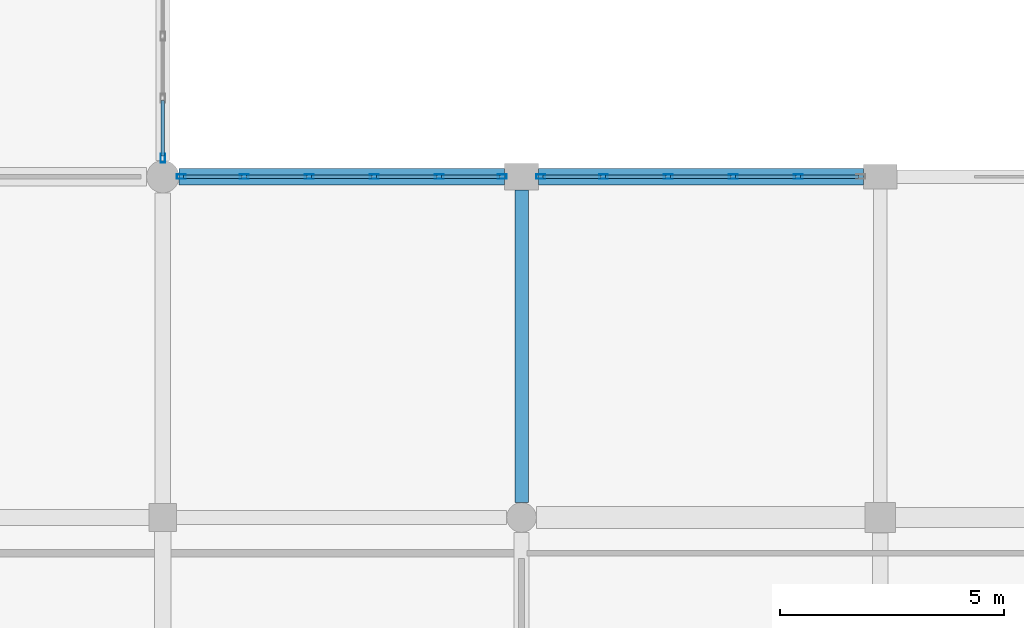
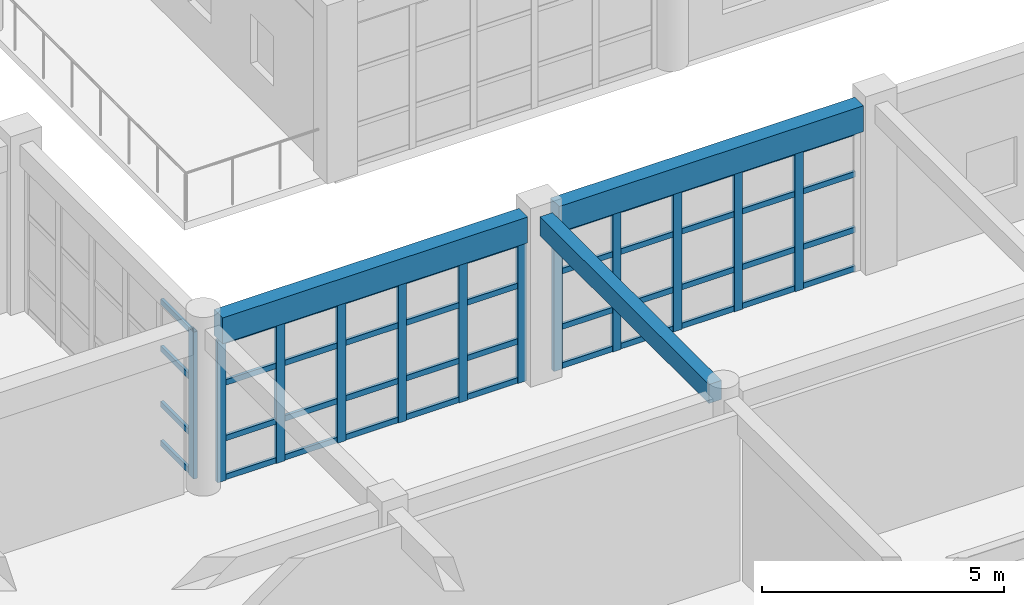
# One storey, part 85 of 160: 56 members, 3 beams, 3 elements without a shape of their own.
"""IFC4 building model written with IfcOpenShell, lengths in metres."""

import ifcopenshell
import ifcopenshell.guid

model = None  # the IFC model being written
_history = None  # IfcOwnerHistory: only IFC2X3 demands one
_inside = {}  # id of a spatial element -> (the spatial element, [elements in it])
_under = {}  # id of a project, library or spatial element -> (it, [spatial elements below it])
_declared = {}  # id of a project -> (the project, [libraries it declares])
_typed = {}  # id of a type object -> (the type object, [elements of that type])
_made_of = {}  # id of a material, layer set ... -> (it, [elements and type objects made of it])


def new_model(schema):
    """Start an empty IFC model of exactly this schema.

    Asked for "IFC4X3", IfcOpenShell would pick the latest addendum, in which some entities
    have other attributes; the version numbers below select the first issue.
    IFC2X3 requires an IfcOwnerHistory on every rooted entity: one is made here for all.
    """
    global model, _history
    if schema == "IFC4X3":
        model = ifcopenshell.file(schema_version=(4, 3, 0, 0))
    else:
        model = ifcopenshell.file(schema=schema)
    _inside.clear()
    _under.clear()
    _declared.clear()
    _typed.clear()
    _made_of.clear()
    _history = None
    if model.schema == "IFC2X3":
        org = make("IfcOrganization", Name="unknown")
        user = make(
            "IfcPersonAndOrganization",
            ThePerson=make("IfcPerson", FamilyName="unknown"),
            TheOrganization=org,
        )
        app = make(
            "IfcApplication",
            ApplicationDeveloper=org,
            Version="unknown",
            ApplicationFullName="unknown",
            ApplicationIdentifier="unknown",
        )
        _history = make(
            "IfcOwnerHistory",
            OwningUser=user,
            OwningApplication=app,
            ChangeAction="ADDED",
            CreationDate=0,
        )
    return model


def make(cls, **values):
    """One entity of the class cls with the attributes given. An attribute that is None is left unset."""
    return model.create_entity(
        cls, **{name: value for name, value in values.items() if value is not None}
    )


def rooted(cls, **values):
    """An entity with a GlobalId (a new one), such as an element, a storey or a relation."""
    return make(cls, GlobalId=ifcopenshell.guid.new(), OwnerHistory=_history, **values)


def si_unit(unit_type, name, prefix=None):
    """IfcSIUnit, for example si_unit("LENGTHUNIT", "METRE", prefix="MILLI")."""
    return make("IfcSIUnit", UnitType=unit_type, Prefix=prefix, Name=name)


def assignment(units):
    """IfcUnitAssignment: the units of a project."""
    return None if units is None else make("IfcUnitAssignment", Units=units)


def point(xyz):
    """IfcCartesianPoint."""
    return None if xyz is None else make("IfcCartesianPoint", Coordinates=xyz)


def direction(xyz):
    """IfcDirection."""
    return None if xyz is None else make("IfcDirection", DirectionRatios=xyz)


def frame(location, z_axis=None, x_axis=None):
    """IfcAxis2Placement3D, a coordinate frame: its origin and axes. An axis left out is left unset."""
    return make(
        "IfcAxis2Placement3D",
        Location=point(location),
        Axis=direction(z_axis),
        RefDirection=direction(x_axis),
    )


def frame_2d(location, x_axis=None):
    """IfcAxis2Placement2D, a coordinate frame in the plane: its origin and x axis."""
    return make(
        "IfcAxis2Placement2D", Location=point(location), RefDirection=direction(x_axis)
    )


def origin():
    """The frame at (0, 0, 0) with its axes left unset."""
    return frame((0.0, 0.0, 0.0))


def origin_2d():
    """The frame at (0, 0) in the plane with its x axis left unset."""
    return frame_2d((0.0, 0.0))


def place(relative_to, where):
    """IfcLocalPlacement: puts the frame where relative to a parent placement (None: the world)."""
    return make(
        "IfcLocalPlacement", PlacementRelTo=relative_to, RelativePlacement=where
    )


def context(
    kind, dimensions, precision=None, world=None, true_north=None, identifier=None
):
    """IfcGeometricRepresentationContext, for example the 3D "Model" context."""
    return make(
        "IfcGeometricRepresentationContext",
        ContextIdentifier=identifier,
        ContextType=kind,
        CoordinateSpaceDimension=dimensions,
        Precision=precision,
        WorldCoordinateSystem=world,
        TrueNorth=true_north,
    )


def subcontext(parent, identifier, kind, view, scale=None):
    """IfcGeometricRepresentationSubContext, for example "Body" below "Model"."""
    return make(
        "IfcGeometricRepresentationSubContext",
        ContextIdentifier=identifier,
        ContextType=kind,
        ParentContext=parent,
        TargetScale=scale,
        TargetView=view,
    )


def project(units=None, contexts=None):
    """IfcProject with its units and contexts."""
    return rooted(
        "IfcProject",
        Name="project",
        RepresentationContexts=contexts,
        UnitsInContext=assignment(units),
    )


def spatial(cls, under=None, at=None, **own):
    """A site, building, storey or space (cls), placed at a placement, below another one or the project."""
    s = rooted(cls, ObjectPlacement=at, **own)
    if under is not None:
        _under.setdefault(under.id(), (under, []))[1].append(s)
    return s


def profile(cls, at=None, kind="AREA", **sizes):
    """A parametric profile (cls). Its sizes go by their IFC names, for example OverallWidth=200.0."""
    return make(cls, ProfileType=kind, Position=at, **sizes)


def rectangle(**sizes):
    """IfcRectangleProfileDef."""
    return profile("IfcRectangleProfileDef", **sizes)


def hollow_rectangle(**sizes):
    """IfcRectangleHollowProfileDef."""
    return profile("IfcRectangleHollowProfileDef", **sizes)


def extrude(swept, where, along, depth):
    """IfcExtrudedAreaSolid: the profile swept, set in the frame where, extruded along a direction by depth."""
    return make(
        "IfcExtrudedAreaSolid",
        SweptArea=swept,
        Position=where,
        ExtrudedDirection=direction(along),
        Depth=depth,
    )


def shape(context_of_items, identifier, shape_type, items):
    """IfcShapeRepresentation: the items that make up one representation, for example the "Body"."""
    return make(
        "IfcShapeRepresentation",
        ContextOfItems=context_of_items,
        RepresentationIdentifier=identifier,
        RepresentationType=shape_type,
        Items=items,
    )


def material(Name=None, Category=None):
    """IfcMaterial."""
    return make("IfcMaterial", Name=Name, Category=Category)


def material_profile(
    of_material, cross_section, Name=None, Category=None, Priority=None
):
    """IfcMaterialProfile: a cross section and its material."""
    return make(
        "IfcMaterialProfile",
        Name=Name,
        Material=of_material,
        Profile=cross_section,
        Priority=Priority,
        Category=Category,
    )


def profile_set(profiles, Name=None, composite=None):
    """IfcMaterialProfileSet."""
    return make(
        "IfcMaterialProfileSet",
        Name=Name,
        MaterialProfiles=profiles,
        CompositeProfile=composite,
    )


def made_of(thing, what):
    """Note that an element or type object is made of a material, layer set ...; save() writes the relation."""
    if what is not None:
        _made_of.setdefault(what.id(), (what, []))[1].append(thing)
    return thing


def type_object(cls, material=None, **own):
    """A type object (cls), such as IfcWallType, which elements share."""
    return made_of(rooted(cls, **own), material)


def element(
    cls,
    number,
    at=None,
    inside=None,
    cuts=None,
    type_object=None,
    material=None,
    context=None,
    identifier="Body",
    shape_type=None,
    held_by="IfcProductDefinitionShape",
    body=None,
    shapes=None,
    **own,
):
    """One element of the class cls, such as IfcWall. Its Tag is "e" and its number.

    at: its placement. inside: the storey or other place that contains it. cuts: it is an
    opening in that element (IfcRelVoidsElement). A single representation is given by context,
    identifier, shape_type and body (its items); several are given by shapes. held_by: the class
    of the entity that holds the representations. save() writes the other relations.
    """
    e = rooted(cls, Tag="e%d" % number, ObjectPlacement=at, **own)
    if body is not None:
        shapes = [shape(context, identifier, shape_type, body)]
    if shapes is not None:
        e.Representation = make(held_by, Representations=shapes)
    if inside is not None:
        _inside.setdefault(inside.id(), (inside, []))[1].append(e)
    if cuts is not None:
        rooted(
            "IfcRelVoidsElement", RelatingBuildingElement=cuts, RelatedOpeningElement=e
        )
    if type_object is not None:
        _typed.setdefault(type_object.id(), (type_object, []))[1].append(e)
    return made_of(e, material)


def aggregate(whole, parts):
    """IfcRelAggregates: a whole, such as a stair, and the parts it consists of."""
    return rooted("IfcRelAggregates", RelatingObject=whole, RelatedObjects=parts)


def save(model, path):
    """Write the relations noted so far, then the file.

    IfcRelAggregates (storeys below a building ...), IfcRelContainedInSpatialStructure (elements
    in a storey), IfcRelDefinesByType, IfcRelAssociatesMaterial and IfcRelDeclares: one each for
    every whole, place, type object, material and project.
    """
    for whole, parts in _under.values():
        aggregate(whole, parts)
    for where, things in _inside.values():
        rooted(
            "IfcRelContainedInSpatialStructure",
            RelatedElements=things,
            RelatingStructure=where,
        )
    for kind, things in _typed.values():
        rooted("IfcRelDefinesByType", RelatedObjects=things, RelatingType=kind)
    for what, things in _made_of.values():
        rooted("IfcRelAssociatesMaterial", RelatedObjects=things, RelatingMaterial=what)
    for by, libraries in _declared.values():
        rooted("IfcRelDeclares", RelatingContext=by, RelatedDefinitions=libraries)
    model.write(path)


model = new_model("IFC4")

# Units and contexts
model_context = context("Model", 3, precision=1e-05, world=origin(), true_north=direction((0.0, 1.0)))
body_context = subcontext(model_context, "Body", "Model", "MODEL_VIEW")
ifc_project = project(units=[si_unit("LENGTHUNIT", "METRE"), si_unit("AREAUNIT", "SQUARE_METRE"), si_unit("VOLUMEUNIT", "CUBIC_METRE"), si_unit("PLANEANGLEUNIT", "RADIAN"), si_unit("MASSUNIT", "GRAM", prefix="KILO")], contexts=[model_context])

# Site, building, storey
site_placement = place(None, origin())
site = spatial("IfcSite", under=ifc_project, at=site_placement, CompositionType="ELEMENT")
building_placement = place(site_placement, origin())
building = spatial("IfcBuilding", under=site, at=building_placement, Name="Kharva Crest Polytechnic", CompositionType="ELEMENT")
storey_placement = place(building_placement, frame((0.0, 0.0, 4.5)))
storey = spatial("IfcBuildingStorey", under=building, at=storey_placement, Name="L01", CompositionType="ELEMENT", Elevation=4.5)

# Beam
ifc_material_1 = material(Name="Concrete C35/45", Category="concrete")
ifc_material_profile_1 = material_profile(ifc_material_1, rectangle(XDim=0.300048828125, YDim=0.47998046875, at=origin_2d()), Name="RECT 300 X 480")
ifc_profile_set_1 = profile_set([ifc_material_profile_1], Name="Concrete C35/45")
beam_type_1 = type_object("IfcBeamType", Name="BM-RC-300X480", PredefinedType="BEAM", material=ifc_profile_set_1)
beam_1_placement = place(storey_placement, frame((152.800048828125, 23.1298828125, 3.97998046875), z_axis=(0.0, 1.0, 0.0), x_axis=(-1.0, 0.0, 0.0)))
element("IfcBeam", 1, at=beam_1_placement, inside=storey, type_object=beam_type_1, Name="L01 Girder 20/D-E", PredefinedType="BEAM", context=body_context, shape_type="SweptSolid", body=[
    extrude(rectangle(XDim=0.300048828125, YDim=0.47998046875, at=origin_2d()), origin(), (0.0, 0.0, 1.0), 6.97021484375),
])

# Curtain wall, member
ifc_material_2 = material(Name="Tempered insulated glass", Category="glass")
curtain_wall_type = type_object("IfcCurtainWallType", Name="CW-SYS-REFECTORY", PredefinedType="USERDEFINED", material=ifc_material_2)
curtain_wall_1_placement = place(storey_placement, origin())
curtain_wall_1 = element("IfcCurtainWall", 2, at=curtain_wall_1_placement, inside=storey, type_object=curtain_wall_type, Name="L01 Glazed Curtain Wall CW-041", ObjectType="CURTAIN WALL", PredefinedType="USERDEFINED")
ifc_material_3 = material(Name="Steel S355", Category="steel")
ifc_material_profile_2 = material_profile(ifc_material_3, hollow_rectangle(XDim=0.10009765625, YDim=0.199951171875, WallThickness=0.00634765625, at=origin_2d()), Name="RHS 200X100X6.3")
ifc_profile_set_2 = profile_set([ifc_material_profile_2], Name="Steel S355")
member_type_1 = type_object("IfcMemberType", Name="CWM-RHS200X100", PredefinedType="MULLION", material=ifc_profile_set_2)
member_1_placement = place(storey_placement, frame((144.800048828125, 30.81494140625, 0.0), z_axis=(0.0, 0.0, 1.0), x_axis=(-1.0, 0.0, 0.0)))
member_1 = element("IfcMember", 3, at=member_1_placement, type_object=member_type_1, Name="CW-041 mullion 1", PredefinedType="MULLION", context=body_context, shape_type="SweptSolid", body=[
    extrude(hollow_rectangle(XDim=0.10009765625, YDim=0.199951171875, WallThickness=0.00634765625, at=origin_2d()), origin(), (0.0, 0.0, 1.0), 3.699951171875),
])

# Curtain wall, members
curtain_wall_2_placement = place(storey_placement, origin())
curtain_wall_2 = element("IfcCurtainWall", 4, at=curtain_wall_2_placement, inside=storey, type_object=curtain_wall_type, Name="L01 Glazed Curtain Wall CW-051", ObjectType="CURTAIN WALL", PredefinedType="USERDEFINED")
member_2_placement = place(storey_placement, frame((158.971923828125, 30.39990234375, 0.0), z_axis=(0.0, 0.0, 1.0), x_axis=(0.0, -1.0, 0.0)))
member_2 = element("IfcMember", 5, at=member_2_placement, type_object=member_type_1, Name="CW-051 mullion 2", PredefinedType="MULLION", context=body_context, shape_type="SweptSolid", body=[
    extrude(hollow_rectangle(XDim=0.10009765625, YDim=0.199951171875, WallThickness=0.00634765625, at=origin_2d()), origin(), (0.0, 0.0, 1.0), 3.570068359375),
])
member_3_placement = place(storey_placement, frame((157.52392578125, 30.39990234375, 0.0), z_axis=(0.0, 0.0, 1.0), x_axis=(0.0, -1.0, 0.0)))
member_3 = element("IfcMember", 6, at=member_3_placement, type_object=member_type_1, Name="CW-051 mullion 3", PredefinedType="MULLION", context=body_context, shape_type="SweptSolid", body=[
    extrude(hollow_rectangle(XDim=0.10009765625, YDim=0.199951171875, WallThickness=0.00634765625, at=origin_2d()), origin(), (0.0, 0.0, 1.0), 3.570068359375),
])
member_4_placement = place(storey_placement, frame((156.075927734375, 30.39990234375, 0.0), z_axis=(0.0, 0.0, 1.0), x_axis=(0.0, -1.0, 0.0)))
member_4 = element("IfcMember", 7, at=member_4_placement, type_object=member_type_1, Name="CW-051 mullion 4", PredefinedType="MULLION", context=body_context, shape_type="SweptSolid", body=[
    extrude(hollow_rectangle(XDim=0.10009765625, YDim=0.199951171875, WallThickness=0.00634765625, at=origin_2d()), origin(), (0.0, 0.0, 1.0), 3.570068359375),
])
member_5_placement = place(storey_placement, frame((154.6279296875, 30.39990234375, 0.0), z_axis=(0.0, 0.0, 1.0), x_axis=(0.0, -1.0, 0.0)))
member_5 = element("IfcMember", 8, at=member_5_placement, type_object=member_type_1, Name="CW-051 mullion 5", PredefinedType="MULLION", context=body_context, shape_type="SweptSolid", body=[
    extrude(hollow_rectangle(XDim=0.10009765625, YDim=0.199951171875, WallThickness=0.00634765625, at=origin_2d()), origin(), (0.0, 0.0, 1.0), 3.570068359375),
])
member_6_placement = place(storey_placement, frame((153.22998046875, 30.39990234375, 0.0), z_axis=(0.0, 0.0, 1.0), x_axis=(0.0, -1.0, 0.0)))
member_6 = element("IfcMember", 9, at=member_6_placement, type_object=member_type_1, Name="CW-051 mullion 6", PredefinedType="MULLION", context=body_context, shape_type="SweptSolid", body=[
    extrude(hollow_rectangle(XDim=0.10009765625, YDim=0.199951171875, WallThickness=0.00634765625, at=origin_2d()), origin(), (0.0, 0.0, 1.0), 3.570068359375),
])

curtain_wall_3_placement = place(storey_placement, origin())
curtain_wall_3 = element("IfcCurtainWall", 10, at=curtain_wall_3_placement, inside=storey, type_object=curtain_wall_type, Name="L01 Glazed Curtain Wall CW-052", ObjectType="CURTAIN WALL", PredefinedType="USERDEFINED")
member_7_placement = place(storey_placement, frame((152.3701171875, 30.39990234375, 0.0), z_axis=(0.0, 0.0, 1.0), x_axis=(0.0, -1.0, 0.0)))
member_7 = element("IfcMember", 11, at=member_7_placement, type_object=member_type_1, Name="CW-052 mullion 1", PredefinedType="MULLION", context=body_context, shape_type="SweptSolid", body=[
    extrude(hollow_rectangle(XDim=0.10009765625, YDim=0.199951171875, WallThickness=0.00634765625, at=origin_2d()), origin(), (0.0, 0.0, 1.0), 3.570068359375),
])
member_8_placement = place(storey_placement, frame((150.968994140625, 30.39990234375, 0.0), z_axis=(0.0, 0.0, 1.0), x_axis=(0.0, -1.0, 0.0)))
member_8 = element("IfcMember", 12, at=member_8_placement, type_object=member_type_1, Name="CW-052 mullion 2", PredefinedType="MULLION", context=body_context, shape_type="SweptSolid", body=[
    extrude(hollow_rectangle(XDim=0.10009765625, YDim=0.199951171875, WallThickness=0.00634765625, at=origin_2d()), origin(), (0.0, 0.0, 1.0), 3.570068359375),
])
member_9_placement = place(storey_placement, frame((149.51806640625, 30.39990234375, 0.0), z_axis=(0.0, 0.0, 1.0), x_axis=(0.0, -1.0, 0.0)))
member_9 = element("IfcMember", 13, at=member_9_placement, type_object=member_type_1, Name="CW-052 mullion 3", PredefinedType="MULLION", context=body_context, shape_type="SweptSolid", body=[
    extrude(hollow_rectangle(XDim=0.10009765625, YDim=0.199951171875, WallThickness=0.00634765625, at=origin_2d()), origin(), (0.0, 0.0, 1.0), 3.570068359375),
])
member_10_placement = place(storey_placement, frame((148.06689453125, 30.39990234375, 0.0), z_axis=(0.0, 0.0, 1.0), x_axis=(0.0, -1.0, 0.0)))
member_10 = element("IfcMember", 14, at=member_10_placement, type_object=member_type_1, Name="CW-052 mullion 4", PredefinedType="MULLION", context=body_context, shape_type="SweptSolid", body=[
    extrude(hollow_rectangle(XDim=0.10009765625, YDim=0.199951171875, WallThickness=0.00634765625, at=origin_2d()), origin(), (0.0, 0.0, 1.0), 3.570068359375),
])
member_11_placement = place(storey_placement, frame((146.615966796875, 30.39990234375, 0.0), z_axis=(0.0, 0.0, 1.0), x_axis=(0.0, -1.0, 0.0)))
member_11 = element("IfcMember", 15, at=member_11_placement, type_object=member_type_1, Name="CW-052 mullion 5", PredefinedType="MULLION", context=body_context, shape_type="SweptSolid", body=[
    extrude(hollow_rectangle(XDim=0.10009765625, YDim=0.199951171875, WallThickness=0.00634765625, at=origin_2d()), origin(), (0.0, 0.0, 1.0), 3.570068359375),
])
member_12_placement = place(storey_placement, frame((145.215087890625, 30.39990234375, 0.0), z_axis=(0.0, 0.0, 1.0), x_axis=(0.0, -1.0, 0.0)))
member_12 = element("IfcMember", 16, at=member_12_placement, type_object=member_type_1, Name="CW-052 mullion 6", PredefinedType="MULLION", context=body_context, shape_type="SweptSolid", body=[
    extrude(hollow_rectangle(XDim=0.10009765625, YDim=0.199951171875, WallThickness=0.00634765625, at=origin_2d()), origin(), (0.0, 0.0, 1.0), 3.570068359375),
])

# Member
ifc_material_profile_3 = material_profile(ifc_material_3, hollow_rectangle(XDim=0.070068359375, YDim=0.139892578125, WallThickness=0.00390625, at=origin_2d()), Name="RHS 140X70X4.0")
ifc_profile_set_3 = profile_set([ifc_material_profile_3], Name="Steel S355")
member_type_2 = type_object("IfcMemberType", Name="CWT-RHS140X70", PredefinedType="USERDEFINED", material=ifc_profile_set_3)
member_13_placement = place(storey_placement, frame((144.800048828125, 30.864990234375, 0.070068359375), z_axis=(0.0, 1.0, 0.0), x_axis=(-1.0, 0.0, 0.0)))
member_13 = element("IfcMember", 17, at=member_13_placement, type_object=member_type_2, Name="CW-041 transom 1.1", ObjectType="TRANSOM", PredefinedType="USERDEFINED", context=body_context, shape_type="SweptSolid", body=[
    extrude(hollow_rectangle(XDim=0.070068359375, YDim=0.139892578125, WallThickness=0.00390625, at=origin_2d()), origin(), (0.0, 0.0, 1.0), 1.236083984375),
])

member_14_placement = place(storey_placement, frame((144.800048828125, 30.864990234375, 1.050048828125), z_axis=(0.0, 1.0, 0.0), x_axis=(-1.0, 0.0, 0.0)))
member_14 = element("IfcMember", 18, at=member_14_placement, type_object=member_type_2, Name="CW-041 transom 1.2", ObjectType="TRANSOM", PredefinedType="USERDEFINED", context=body_context, shape_type="SweptSolid", body=[
    extrude(hollow_rectangle(XDim=0.070068359375, YDim=0.139892578125, WallThickness=0.00390625, at=origin_2d()), origin(), (0.0, 0.0, 1.0), 1.236083984375),
])

member_15_placement = place(storey_placement, frame((144.800048828125, 30.864990234375, 2.449951171875), z_axis=(0.0, 1.0, 0.0), x_axis=(-1.0, 0.0, 0.0)))
member_15 = element("IfcMember", 19, at=member_15_placement, type_object=member_type_2, Name="CW-041 transom 1.3", ObjectType="TRANSOM", PredefinedType="USERDEFINED", context=body_context, shape_type="SweptSolid", body=[
    extrude(hollow_rectangle(XDim=0.070068359375, YDim=0.139892578125, WallThickness=0.00390625, at=origin_2d()), origin(), (0.0, 0.0, 1.0), 1.236083984375),
])

member_16_placement = place(storey_placement, frame((144.800048828125, 30.864990234375, 3.6298828125), z_axis=(0.0, 1.0, 0.0), x_axis=(-1.0, 0.0, 0.0)))
member_16 = element("IfcMember", 20, at=member_16_placement, type_object=member_type_2, Name="CW-041 transom 1.4", ObjectType="TRANSOM", PredefinedType="USERDEFINED", context=body_context, shape_type="SweptSolid", body=[
    extrude(hollow_rectangle(XDim=0.070068359375, YDim=0.139892578125, WallThickness=0.00390625, at=origin_2d()), origin(), (0.0, 0.0, 1.0), 1.236083984375),
])

aggregate(curtain_wall_1, [member_1, member_13, member_14, member_15, member_16])

member_17_placement = place(storey_placement, frame((160.320068359375, 30.39990234375, 0.070068359375), z_axis=(-1.0, 0.0, 0.0), x_axis=(0.0, -1.0, 0.0)))
member_17 = element("IfcMember", 21, at=member_17_placement, type_object=member_type_2, Name="CW-051 transom 1.1", ObjectType="TRANSOM", PredefinedType="USERDEFINED", context=body_context, shape_type="SweptSolid", body=[
    extrude(hollow_rectangle(XDim=0.070068359375, YDim=0.139892578125, WallThickness=0.00390625, at=origin_2d()), origin(), (0.0, 0.0, 1.0), 1.298095703125),
])

member_18_placement = place(storey_placement, frame((160.320068359375, 30.39990234375, 1.050048828125), z_axis=(-1.0, 0.0, 0.0), x_axis=(0.0, -1.0, 0.0)))
member_18 = element("IfcMember", 22, at=member_18_placement, type_object=member_type_2, Name="CW-051 transom 1.2", ObjectType="TRANSOM", PredefinedType="USERDEFINED", context=body_context, shape_type="SweptSolid", body=[
    extrude(hollow_rectangle(XDim=0.070068359375, YDim=0.139892578125, WallThickness=0.00390625, at=origin_2d()), origin(), (0.0, 0.0, 1.0), 1.298095703125),
])

member_19_placement = place(storey_placement, frame((160.320068359375, 30.39990234375, 2.449951171875), z_axis=(-1.0, 0.0, 0.0), x_axis=(0.0, -1.0, 0.0)))
member_19 = element("IfcMember", 23, at=member_19_placement, type_object=member_type_2, Name="CW-051 transom 1.3", ObjectType="TRANSOM", PredefinedType="USERDEFINED", context=body_context, shape_type="SweptSolid", body=[
    extrude(hollow_rectangle(XDim=0.070068359375, YDim=0.139892578125, WallThickness=0.00390625, at=origin_2d()), origin(), (0.0, 0.0, 1.0), 1.298095703125),
])

member_20_placement = place(storey_placement, frame((160.320068359375, 30.39990234375, 3.5), z_axis=(-1.0, 0.0, 0.0), x_axis=(0.0, -1.0, 0.0)))
member_20 = element("IfcMember", 24, at=member_20_placement, type_object=member_type_2, Name="CW-051 transom 1.4", ObjectType="TRANSOM", PredefinedType="USERDEFINED", context=body_context, shape_type="SweptSolid", body=[
    extrude(hollow_rectangle(XDim=0.070068359375, YDim=0.139892578125, WallThickness=0.00390625, at=origin_2d()), origin(), (0.0, 0.0, 1.0), 1.298095703125),
])

member_21_placement = place(storey_placement, frame((158.922119140625, 30.39990234375, 0.070068359375), z_axis=(-1.0, 0.0, 0.0), x_axis=(0.0, -1.0, 0.0)))
member_21 = element("IfcMember", 25, at=member_21_placement, type_object=member_type_2, Name="CW-051 transom 2.1", ObjectType="TRANSOM", PredefinedType="USERDEFINED", context=body_context, shape_type="SweptSolid", body=[
    extrude(hollow_rectangle(XDim=0.070068359375, YDim=0.139892578125, WallThickness=0.00390625, at=origin_2d()), origin(), (0.0, 0.0, 1.0), 1.34814453125),
])

member_22_placement = place(storey_placement, frame((158.922119140625, 30.39990234375, 1.050048828125), z_axis=(-1.0, 0.0, 0.0), x_axis=(0.0, -1.0, 0.0)))
member_22 = element("IfcMember", 26, at=member_22_placement, type_object=member_type_2, Name="CW-051 transom 2.2", ObjectType="TRANSOM", PredefinedType="USERDEFINED", context=body_context, shape_type="SweptSolid", body=[
    extrude(hollow_rectangle(XDim=0.070068359375, YDim=0.139892578125, WallThickness=0.00390625, at=origin_2d()), origin(), (0.0, 0.0, 1.0), 1.34814453125),
])

member_23_placement = place(storey_placement, frame((158.922119140625, 30.39990234375, 2.449951171875), z_axis=(-1.0, 0.0, 0.0), x_axis=(0.0, -1.0, 0.0)))
member_23 = element("IfcMember", 27, at=member_23_placement, type_object=member_type_2, Name="CW-051 transom 2.3", ObjectType="TRANSOM", PredefinedType="USERDEFINED", context=body_context, shape_type="SweptSolid", body=[
    extrude(hollow_rectangle(XDim=0.070068359375, YDim=0.139892578125, WallThickness=0.00390625, at=origin_2d()), origin(), (0.0, 0.0, 1.0), 1.34814453125),
])

member_24_placement = place(storey_placement, frame((158.922119140625, 30.39990234375, 3.5), z_axis=(-1.0, 0.0, 0.0), x_axis=(0.0, -1.0, 0.0)))
member_24 = element("IfcMember", 28, at=member_24_placement, type_object=member_type_2, Name="CW-051 transom 2.4", ObjectType="TRANSOM", PredefinedType="USERDEFINED", context=body_context, shape_type="SweptSolid", body=[
    extrude(hollow_rectangle(XDim=0.070068359375, YDim=0.139892578125, WallThickness=0.00390625, at=origin_2d()), origin(), (0.0, 0.0, 1.0), 1.34814453125),
])

member_25_placement = place(storey_placement, frame((157.47412109375, 30.39990234375, 0.070068359375), z_axis=(-1.0, 0.0, 0.0), x_axis=(0.0, -1.0, 0.0)))
member_25 = element("IfcMember", 29, at=member_25_placement, type_object=member_type_2, Name="CW-051 transom 3.1", ObjectType="TRANSOM", PredefinedType="USERDEFINED", context=body_context, shape_type="SweptSolid", body=[
    extrude(hollow_rectangle(XDim=0.070068359375, YDim=0.139892578125, WallThickness=0.00390625, at=origin_2d()), origin(), (0.0, 0.0, 1.0), 1.34814453125),
])

member_26_placement = place(storey_placement, frame((157.47412109375, 30.39990234375, 1.050048828125), z_axis=(-1.0, 0.0, 0.0), x_axis=(0.0, -1.0, 0.0)))
member_26 = element("IfcMember", 30, at=member_26_placement, type_object=member_type_2, Name="CW-051 transom 3.2", ObjectType="TRANSOM", PredefinedType="USERDEFINED", context=body_context, shape_type="SweptSolid", body=[
    extrude(hollow_rectangle(XDim=0.070068359375, YDim=0.139892578125, WallThickness=0.00390625, at=origin_2d()), origin(), (0.0, 0.0, 1.0), 1.34814453125),
])

member_27_placement = place(storey_placement, frame((157.47412109375, 30.39990234375, 2.449951171875), z_axis=(-1.0, 0.0, 0.0), x_axis=(0.0, -1.0, 0.0)))
member_27 = element("IfcMember", 31, at=member_27_placement, type_object=member_type_2, Name="CW-051 transom 3.3", ObjectType="TRANSOM", PredefinedType="USERDEFINED", context=body_context, shape_type="SweptSolid", body=[
    extrude(hollow_rectangle(XDim=0.070068359375, YDim=0.139892578125, WallThickness=0.00390625, at=origin_2d()), origin(), (0.0, 0.0, 1.0), 1.34814453125),
])

member_28_placement = place(storey_placement, frame((157.47412109375, 30.39990234375, 3.5), z_axis=(-1.0, 0.0, 0.0), x_axis=(0.0, -1.0, 0.0)))
member_28 = element("IfcMember", 32, at=member_28_placement, type_object=member_type_2, Name="CW-051 transom 3.4", ObjectType="TRANSOM", PredefinedType="USERDEFINED", context=body_context, shape_type="SweptSolid", body=[
    extrude(hollow_rectangle(XDim=0.070068359375, YDim=0.139892578125, WallThickness=0.00390625, at=origin_2d()), origin(), (0.0, 0.0, 1.0), 1.34814453125),
])

member_29_placement = place(storey_placement, frame((156.02587890625, 30.39990234375, 0.070068359375), z_axis=(-1.0, 0.0, 0.0), x_axis=(0.0, -1.0, 0.0)))
member_29 = element("IfcMember", 33, at=member_29_placement, type_object=member_type_2, Name="CW-051 transom 4.1", ObjectType="TRANSOM", PredefinedType="USERDEFINED", context=body_context, shape_type="SweptSolid", body=[
    extrude(hollow_rectangle(XDim=0.070068359375, YDim=0.139892578125, WallThickness=0.00390625, at=origin_2d()), origin(), (0.0, 0.0, 1.0), 1.347900390625),
])

member_30_placement = place(storey_placement, frame((156.02587890625, 30.39990234375, 1.050048828125), z_axis=(-1.0, 0.0, 0.0), x_axis=(0.0, -1.0, 0.0)))
member_30 = element("IfcMember", 34, at=member_30_placement, type_object=member_type_2, Name="CW-051 transom 4.2", ObjectType="TRANSOM", PredefinedType="USERDEFINED", context=body_context, shape_type="SweptSolid", body=[
    extrude(hollow_rectangle(XDim=0.070068359375, YDim=0.139892578125, WallThickness=0.00390625, at=origin_2d()), origin(), (0.0, 0.0, 1.0), 1.347900390625),
])

member_31_placement = place(storey_placement, frame((156.02587890625, 30.39990234375, 2.449951171875), z_axis=(-1.0, 0.0, 0.0), x_axis=(0.0, -1.0, 0.0)))
member_31 = element("IfcMember", 35, at=member_31_placement, type_object=member_type_2, Name="CW-051 transom 4.3", ObjectType="TRANSOM", PredefinedType="USERDEFINED", context=body_context, shape_type="SweptSolid", body=[
    extrude(hollow_rectangle(XDim=0.070068359375, YDim=0.139892578125, WallThickness=0.00390625, at=origin_2d()), origin(), (0.0, 0.0, 1.0), 1.347900390625),
])

member_32_placement = place(storey_placement, frame((156.02587890625, 30.39990234375, 3.5), z_axis=(-1.0, 0.0, 0.0), x_axis=(0.0, -1.0, 0.0)))
member_32 = element("IfcMember", 36, at=member_32_placement, type_object=member_type_2, Name="CW-051 transom 4.4", ObjectType="TRANSOM", PredefinedType="USERDEFINED", context=body_context, shape_type="SweptSolid", body=[
    extrude(hollow_rectangle(XDim=0.070068359375, YDim=0.139892578125, WallThickness=0.00390625, at=origin_2d()), origin(), (0.0, 0.0, 1.0), 1.347900390625),
])

member_33_placement = place(storey_placement, frame((154.577880859375, 30.39990234375, 0.070068359375), z_axis=(-1.0, 0.0, 0.0), x_axis=(0.0, -1.0, 0.0)))
member_33 = element("IfcMember", 37, at=member_33_placement, type_object=member_type_2, Name="CW-051 transom 5.1", ObjectType="TRANSOM", PredefinedType="USERDEFINED", context=body_context, shape_type="SweptSolid", body=[
    extrude(hollow_rectangle(XDim=0.070068359375, YDim=0.139892578125, WallThickness=0.00390625, at=origin_2d()), origin(), (0.0, 0.0, 1.0), 1.2978515625),
])

member_34_placement = place(storey_placement, frame((154.577880859375, 30.39990234375, 1.050048828125), z_axis=(-1.0, 0.0, 0.0), x_axis=(0.0, -1.0, 0.0)))
member_34 = element("IfcMember", 38, at=member_34_placement, type_object=member_type_2, Name="CW-051 transom 5.2", ObjectType="TRANSOM", PredefinedType="USERDEFINED", context=body_context, shape_type="SweptSolid", body=[
    extrude(hollow_rectangle(XDim=0.070068359375, YDim=0.139892578125, WallThickness=0.00390625, at=origin_2d()), origin(), (0.0, 0.0, 1.0), 1.2978515625),
])

member_35_placement = place(storey_placement, frame((154.577880859375, 30.39990234375, 2.449951171875), z_axis=(-1.0, 0.0, 0.0), x_axis=(0.0, -1.0, 0.0)))
member_35 = element("IfcMember", 39, at=member_35_placement, type_object=member_type_2, Name="CW-051 transom 5.3", ObjectType="TRANSOM", PredefinedType="USERDEFINED", context=body_context, shape_type="SweptSolid", body=[
    extrude(hollow_rectangle(XDim=0.070068359375, YDim=0.139892578125, WallThickness=0.00390625, at=origin_2d()), origin(), (0.0, 0.0, 1.0), 1.2978515625),
])

member_36_placement = place(storey_placement, frame((154.577880859375, 30.39990234375, 3.5), z_axis=(-1.0, 0.0, 0.0), x_axis=(0.0, -1.0, 0.0)))
member_36 = element("IfcMember", 40, at=member_36_placement, type_object=member_type_2, Name="CW-051 transom 5.4", ObjectType="TRANSOM", PredefinedType="USERDEFINED", context=body_context, shape_type="SweptSolid", body=[
    extrude(hollow_rectangle(XDim=0.070068359375, YDim=0.139892578125, WallThickness=0.00390625, at=origin_2d()), origin(), (0.0, 0.0, 1.0), 1.2978515625),
])

aggregate(curtain_wall_2, [member_2, member_3, member_4, member_5, member_6, member_17, member_18, member_19, member_20, member_21, member_22, member_23, member_24, member_25, member_26, member_27, member_28, member_29, member_30, member_31, member_32, member_33, member_34, member_35, member_36])

member_37_placement = place(storey_placement, frame((152.320068359375, 30.39990234375, 0.070068359375), z_axis=(-1.0, 0.0, 0.0), x_axis=(0.0, -1.0, 0.0)))
member_37 = element("IfcMember", 41, at=member_37_placement, type_object=member_type_2, Name="CW-052 transom 1.1", ObjectType="TRANSOM", PredefinedType="USERDEFINED", context=body_context, shape_type="SweptSolid", body=[
    extrude(hollow_rectangle(XDim=0.070068359375, YDim=0.139892578125, WallThickness=0.00390625, at=origin_2d()), origin(), (0.0, 0.0, 1.0), 1.301025390625),
])

member_38_placement = place(storey_placement, frame((152.320068359375, 30.39990234375, 1.050048828125), z_axis=(-1.0, 0.0, 0.0), x_axis=(0.0, -1.0, 0.0)))
member_38 = element("IfcMember", 42, at=member_38_placement, type_object=member_type_2, Name="CW-052 transom 1.2", ObjectType="TRANSOM", PredefinedType="USERDEFINED", context=body_context, shape_type="SweptSolid", body=[
    extrude(hollow_rectangle(XDim=0.070068359375, YDim=0.139892578125, WallThickness=0.00390625, at=origin_2d()), origin(), (0.0, 0.0, 1.0), 1.301025390625),
])

member_39_placement = place(storey_placement, frame((152.320068359375, 30.39990234375, 2.449951171875), z_axis=(-1.0, 0.0, 0.0), x_axis=(0.0, -1.0, 0.0)))
member_39 = element("IfcMember", 43, at=member_39_placement, type_object=member_type_2, Name="CW-052 transom 1.3", ObjectType="TRANSOM", PredefinedType="USERDEFINED", context=body_context, shape_type="SweptSolid", body=[
    extrude(hollow_rectangle(XDim=0.070068359375, YDim=0.139892578125, WallThickness=0.00390625, at=origin_2d()), origin(), (0.0, 0.0, 1.0), 1.301025390625),
])

member_40_placement = place(storey_placement, frame((152.320068359375, 30.39990234375, 3.5), z_axis=(-1.0, 0.0, 0.0), x_axis=(0.0, -1.0, 0.0)))
member_40 = element("IfcMember", 44, at=member_40_placement, type_object=member_type_2, Name="CW-052 transom 1.4", ObjectType="TRANSOM", PredefinedType="USERDEFINED", context=body_context, shape_type="SweptSolid", body=[
    extrude(hollow_rectangle(XDim=0.070068359375, YDim=0.139892578125, WallThickness=0.00390625, at=origin_2d()), origin(), (0.0, 0.0, 1.0), 1.301025390625),
])

member_41_placement = place(storey_placement, frame((150.9189453125, 30.39990234375, 0.070068359375), z_axis=(-1.0, 0.0, 0.0), x_axis=(0.0, -1.0, 0.0)))
member_41 = element("IfcMember", 45, at=member_41_placement, type_object=member_type_2, Name="CW-052 transom 2.1", ObjectType="TRANSOM", PredefinedType="USERDEFINED", context=body_context, shape_type="SweptSolid", body=[
    extrude(hollow_rectangle(XDim=0.070068359375, YDim=0.139892578125, WallThickness=0.00390625, at=origin_2d()), origin(), (0.0, 0.0, 1.0), 1.350830078125),
])

member_42_placement = place(storey_placement, frame((150.9189453125, 30.39990234375, 1.050048828125), z_axis=(-1.0, 0.0, 0.0), x_axis=(0.0, -1.0, 0.0)))
member_42 = element("IfcMember", 46, at=member_42_placement, type_object=member_type_2, Name="CW-052 transom 2.2", ObjectType="TRANSOM", PredefinedType="USERDEFINED", context=body_context, shape_type="SweptSolid", body=[
    extrude(hollow_rectangle(XDim=0.070068359375, YDim=0.139892578125, WallThickness=0.00390625, at=origin_2d()), origin(), (0.0, 0.0, 1.0), 1.350830078125),
])

member_43_placement = place(storey_placement, frame((150.9189453125, 30.39990234375, 2.449951171875), z_axis=(-1.0, 0.0, 0.0), x_axis=(0.0, -1.0, 0.0)))
member_43 = element("IfcMember", 47, at=member_43_placement, type_object=member_type_2, Name="CW-052 transom 2.3", ObjectType="TRANSOM", PredefinedType="USERDEFINED", context=body_context, shape_type="SweptSolid", body=[
    extrude(hollow_rectangle(XDim=0.070068359375, YDim=0.139892578125, WallThickness=0.00390625, at=origin_2d()), origin(), (0.0, 0.0, 1.0), 1.350830078125),
])

member_44_placement = place(storey_placement, frame((150.9189453125, 30.39990234375, 3.5), z_axis=(-1.0, 0.0, 0.0), x_axis=(0.0, -1.0, 0.0)))
member_44 = element("IfcMember", 48, at=member_44_placement, type_object=member_type_2, Name="CW-052 transom 2.4", ObjectType="TRANSOM", PredefinedType="USERDEFINED", context=body_context, shape_type="SweptSolid", body=[
    extrude(hollow_rectangle(XDim=0.070068359375, YDim=0.139892578125, WallThickness=0.00390625, at=origin_2d()), origin(), (0.0, 0.0, 1.0), 1.350830078125),
])

member_45_placement = place(storey_placement, frame((149.468017578125, 30.39990234375, 0.070068359375), z_axis=(-1.0, 0.0, 0.0), x_axis=(0.0, -1.0, 0.0)))
member_45 = element("IfcMember", 49, at=member_45_placement, type_object=member_type_2, Name="CW-052 transom 3.1", ObjectType="TRANSOM", PredefinedType="USERDEFINED", context=body_context, shape_type="SweptSolid", body=[
    extrude(hollow_rectangle(XDim=0.070068359375, YDim=0.139892578125, WallThickness=0.00390625, at=origin_2d()), origin(), (0.0, 0.0, 1.0), 1.35107421875),
])

member_46_placement = place(storey_placement, frame((149.468017578125, 30.39990234375, 1.050048828125), z_axis=(-1.0, 0.0, 0.0), x_axis=(0.0, -1.0, 0.0)))
member_46 = element("IfcMember", 50, at=member_46_placement, type_object=member_type_2, Name="CW-052 transom 3.2", ObjectType="TRANSOM", PredefinedType="USERDEFINED", context=body_context, shape_type="SweptSolid", body=[
    extrude(hollow_rectangle(XDim=0.070068359375, YDim=0.139892578125, WallThickness=0.00390625, at=origin_2d()), origin(), (0.0, 0.0, 1.0), 1.35107421875),
])

member_47_placement = place(storey_placement, frame((149.468017578125, 30.39990234375, 2.449951171875), z_axis=(-1.0, 0.0, 0.0), x_axis=(0.0, -1.0, 0.0)))
member_47 = element("IfcMember", 51, at=member_47_placement, type_object=member_type_2, Name="CW-052 transom 3.3", ObjectType="TRANSOM", PredefinedType="USERDEFINED", context=body_context, shape_type="SweptSolid", body=[
    extrude(hollow_rectangle(XDim=0.070068359375, YDim=0.139892578125, WallThickness=0.00390625, at=origin_2d()), origin(), (0.0, 0.0, 1.0), 1.35107421875),
])

member_48_placement = place(storey_placement, frame((149.468017578125, 30.39990234375, 3.5), z_axis=(-1.0, 0.0, 0.0), x_axis=(0.0, -1.0, 0.0)))
member_48 = element("IfcMember", 52, at=member_48_placement, type_object=member_type_2, Name="CW-052 transom 3.4", ObjectType="TRANSOM", PredefinedType="USERDEFINED", context=body_context, shape_type="SweptSolid", body=[
    extrude(hollow_rectangle(XDim=0.070068359375, YDim=0.139892578125, WallThickness=0.00390625, at=origin_2d()), origin(), (0.0, 0.0, 1.0), 1.35107421875),
])

member_49_placement = place(storey_placement, frame((148.01708984375, 30.39990234375, 0.070068359375), z_axis=(-1.0, 0.0, 0.0), x_axis=(0.0, -1.0, 0.0)))
member_49 = element("IfcMember", 53, at=member_49_placement, type_object=member_type_2, Name="CW-052 transom 4.1", ObjectType="TRANSOM", PredefinedType="USERDEFINED", context=body_context, shape_type="SweptSolid", body=[
    extrude(hollow_rectangle(XDim=0.070068359375, YDim=0.139892578125, WallThickness=0.00390625, at=origin_2d()), origin(), (0.0, 0.0, 1.0), 1.35107421875),
])

member_50_placement = place(storey_placement, frame((148.01708984375, 30.39990234375, 1.050048828125), z_axis=(-1.0, 0.0, 0.0), x_axis=(0.0, -1.0, 0.0)))
member_50 = element("IfcMember", 54, at=member_50_placement, type_object=member_type_2, Name="CW-052 transom 4.2", ObjectType="TRANSOM", PredefinedType="USERDEFINED", context=body_context, shape_type="SweptSolid", body=[
    extrude(hollow_rectangle(XDim=0.070068359375, YDim=0.139892578125, WallThickness=0.00390625, at=origin_2d()), origin(), (0.0, 0.0, 1.0), 1.35107421875),
])

member_51_placement = place(storey_placement, frame((148.01708984375, 30.39990234375, 2.449951171875), z_axis=(-1.0, 0.0, 0.0), x_axis=(0.0, -1.0, 0.0)))
member_51 = element("IfcMember", 55, at=member_51_placement, type_object=member_type_2, Name="CW-052 transom 4.3", ObjectType="TRANSOM", PredefinedType="USERDEFINED", context=body_context, shape_type="SweptSolid", body=[
    extrude(hollow_rectangle(XDim=0.070068359375, YDim=0.139892578125, WallThickness=0.00390625, at=origin_2d()), origin(), (0.0, 0.0, 1.0), 1.35107421875),
])

member_52_placement = place(storey_placement, frame((148.01708984375, 30.39990234375, 3.5), z_axis=(-1.0, 0.0, 0.0), x_axis=(0.0, -1.0, 0.0)))
member_52 = element("IfcMember", 56, at=member_52_placement, type_object=member_type_2, Name="CW-052 transom 4.4", ObjectType="TRANSOM", PredefinedType="USERDEFINED", context=body_context, shape_type="SweptSolid", body=[
    extrude(hollow_rectangle(XDim=0.070068359375, YDim=0.139892578125, WallThickness=0.00390625, at=origin_2d()), origin(), (0.0, 0.0, 1.0), 1.35107421875),
])

member_53_placement = place(storey_placement, frame((146.56591796875, 30.39990234375, 0.070068359375), z_axis=(-1.0, 0.0, 0.0), x_axis=(0.0, -1.0, 0.0)))
member_53 = element("IfcMember", 57, at=member_53_placement, type_object=member_type_2, Name="CW-052 transom 5.1", ObjectType="TRANSOM", PredefinedType="USERDEFINED", context=body_context, shape_type="SweptSolid", body=[
    extrude(hollow_rectangle(XDim=0.070068359375, YDim=0.139892578125, WallThickness=0.00390625, at=origin_2d()), origin(), (0.0, 0.0, 1.0), 1.301025390625),
])

member_54_placement = place(storey_placement, frame((146.56591796875, 30.39990234375, 1.050048828125), z_axis=(-1.0, 0.0, 0.0), x_axis=(0.0, -1.0, 0.0)))
member_54 = element("IfcMember", 58, at=member_54_placement, type_object=member_type_2, Name="CW-052 transom 5.2", ObjectType="TRANSOM", PredefinedType="USERDEFINED", context=body_context, shape_type="SweptSolid", body=[
    extrude(hollow_rectangle(XDim=0.070068359375, YDim=0.139892578125, WallThickness=0.00390625, at=origin_2d()), origin(), (0.0, 0.0, 1.0), 1.301025390625),
])

member_55_placement = place(storey_placement, frame((146.56591796875, 30.39990234375, 2.449951171875), z_axis=(-1.0, 0.0, 0.0), x_axis=(0.0, -1.0, 0.0)))
member_55 = element("IfcMember", 59, at=member_55_placement, type_object=member_type_2, Name="CW-052 transom 5.3", ObjectType="TRANSOM", PredefinedType="USERDEFINED", context=body_context, shape_type="SweptSolid", body=[
    extrude(hollow_rectangle(XDim=0.070068359375, YDim=0.139892578125, WallThickness=0.00390625, at=origin_2d()), origin(), (0.0, 0.0, 1.0), 1.301025390625),
])

member_56_placement = place(storey_placement, frame((146.56591796875, 30.39990234375, 3.5), z_axis=(-1.0, 0.0, 0.0), x_axis=(0.0, -1.0, 0.0)))
member_56 = element("IfcMember", 60, at=member_56_placement, type_object=member_type_2, Name="CW-052 transom 5.4", ObjectType="TRANSOM", PredefinedType="USERDEFINED", context=body_context, shape_type="SweptSolid", body=[
    extrude(hollow_rectangle(XDim=0.070068359375, YDim=0.139892578125, WallThickness=0.00390625, at=origin_2d()), origin(), (0.0, 0.0, 1.0), 1.301025390625),
])

aggregate(curtain_wall_3, [member_7, member_8, member_9, member_10, member_11, member_12, member_37, member_38, member_39, member_40, member_41, member_42, member_43, member_44, member_45, member_46, member_47, member_48, member_49, member_50, member_51, member_52, member_53, member_54, member_55, member_56])

# Beams
ifc_material_profile_4 = material_profile(ifc_material_1, rectangle(XDim=0.360107421875, YDim=0.64990234375, at=origin_2d()), Name="RECT 360 X 650")
ifc_profile_set_4 = profile_set([ifc_material_profile_4], Name="Concrete C35/45")
beam_type_2 = type_object("IfcBeamType", Name="SP-RC-360X650", PredefinedType="SPANDREL", material=ifc_profile_set_4)
beam_2_placement = place(storey_placement, frame((145.159912109375, 30.39990234375, 3.89501953125), z_axis=(1.0, 0.0, 0.0), x_axis=(0.0, 1.0, 0.0)))
element("IfcBeam", 61, at=beam_2_placement, inside=storey, type_object=beam_type_2, Name="L01 Beam E/19-20", PredefinedType="SPANDREL", context=body_context, shape_type="SweptSolid", body=[
    extrude(rectangle(XDim=0.360107421875, YDim=0.64990234375, at=origin_2d()), origin(), (0.0, 0.0, 1.0), 7.26513671875),
])
beam_3_placement = place(storey_placement, frame((153.175048828125, 30.39990234375, 3.89501953125), z_axis=(1.0, 0.0, 0.0), x_axis=(0.0, 1.0, 0.0)))
element("IfcBeam", 62, at=beam_3_placement, inside=storey, type_object=beam_type_2, Name="L01 Beam E/20-21", PredefinedType="SPANDREL", context=body_context, shape_type="SweptSolid", body=[
    extrude(rectangle(XDim=0.360107421875, YDim=0.64990234375, at=origin_2d()), origin(), (0.0, 0.0, 1.0), 7.25),
])

save(model, "model.ifc")
